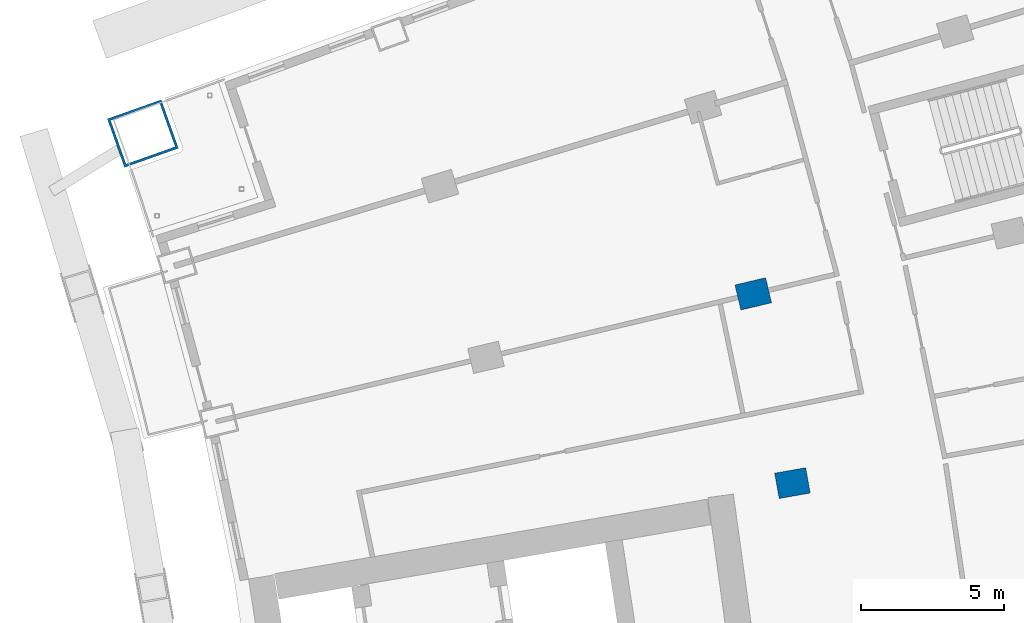
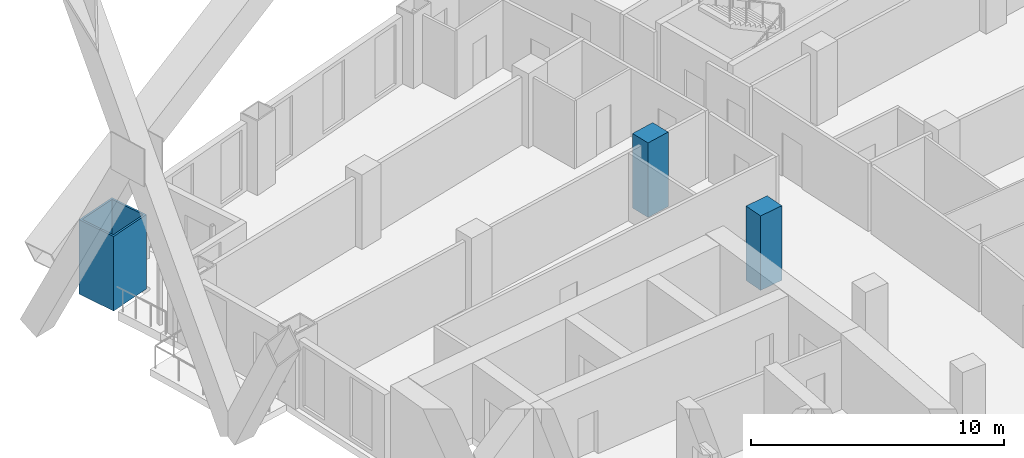
# One storey, part 8 of 25: 3 columns.
"""IFC4 building model written with IfcOpenShell, lengths in metres."""

from ifc_helpers import new_model, si_unit, direction, frame, origin, origin_2d, place, context, subcontext, project, spatial, rectangle, hollow_rectangle, extrude, material, material_profile, profile_set, type_object, element, save


model = new_model("IFC4")

# Units and contexts
model_context = context("Model", 3, precision=1e-05, world=origin(), true_north=direction((0.0, 1.0)))
body_context = subcontext(model_context, "Body", "Model", "MODEL_VIEW")
ifc_project = project(units=[si_unit("LENGTHUNIT", "METRE"), si_unit("AREAUNIT", "SQUARE_METRE"), si_unit("VOLUMEUNIT", "CUBIC_METRE"), si_unit("PLANEANGLEUNIT", "RADIAN"), si_unit("MASSUNIT", "GRAM", prefix="KILO")], contexts=[model_context])

# Site, building, storey
site_placement = place(None, origin())
site = spatial("IfcSite", under=ifc_project, at=site_placement, CompositionType="ELEMENT")
building_placement = place(site_placement, origin())
building = spatial("IfcBuilding", under=site, at=building_placement, Name="Alderwake Tower", CompositionType="ELEMENT")
storey_placement = place(building_placement, frame((0.0, 0.0, 32.0)))
storey = spatial("IfcBuildingStorey", under=building, at=storey_placement, Name="L06", CompositionType="ELEMENT", Elevation=32.0)

# Columns
ifc_material_1 = material(Name="Concrete C70/85", Category="concrete")
ifc_material_profile_1 = material_profile(ifc_material_1, rectangle(XDim=0.89990234375, YDim=1.10009765625, at=origin_2d()), Name="RC 1100X900")
ifc_profile_set_1 = profile_set([ifc_material_profile_1], Name="Concrete C70/85")
column_type_1 = type_object("IfcColumnType", Name="Interior column Z1", PredefinedType="COLUMN", material=ifc_profile_set_1)
for number, where, z_axis, x_axis, name in (
    (1, (34.03125, 81.16162109375, 0.0), (0.0, 0.0, 1.0), (-0.174108800747, 0.984726421654, 0.0), "Column R10-C2"),
    (2, (32.661865234375, 87.775390625, 0.0), (0.0, 0.0, 1.0), (-0.231221547198, 0.972901123502, 0.0), "Column R11-C2"),
):
    element("IfcColumn", number, at=place(storey_placement, frame(where, z_axis=z_axis, x_axis=x_axis)), inside=storey, type_object=column_type_1, Name=name, PredefinedType="COLUMN", context=body_context, shape_type="SweptSolid", body=[
        extrude(rectangle(XDim=0.89990234375, YDim=1.10009765625, at=origin_2d()), origin(), (0.0, 0.0, 1.0), 3.60009765625),
    ])
ifc_material_2 = material(Name="Steel ASTM A572 Grade 50 concrete filled C70/85", Category="concrete")
ifc_material_profile_2 = material_profile(ifc_material_2, hollow_rectangle(XDim=1.800048828125, YDim=2.0, WallThickness=0.090087890625, at=origin_2d()), Name="BOX 2000X1800X90")
ifc_profile_set_2 = profile_set([ifc_material_profile_2], Name="Steel ASTM A572 Grade 50 concrete filled C70/85")
column_type_2 = type_object("IfcColumnType", Name="Mega column Z1", PredefinedType="COLUMN", material=ifc_profile_set_2)
column_placement = place(storey_placement, frame((11.330810546875, 93.377197265625, 0.0), z_axis=(0.0, 0.0, 1.0), x_axis=(-0.334130947791, 0.942526662609, 0.0)))
element("IfcColumn", 3, at=column_placement, inside=storey, type_object=column_type_2, Name="Column R13-C0", PredefinedType="COLUMN", context=body_context, shape_type="SweptSolid", body=[
    extrude(hollow_rectangle(XDim=1.800048828125, YDim=2.0, WallThickness=0.090087890625, at=origin_2d()), origin(), (0.0, 0.0, 1.0), 3.60009765625),
])

save(model, "model.ifc")
